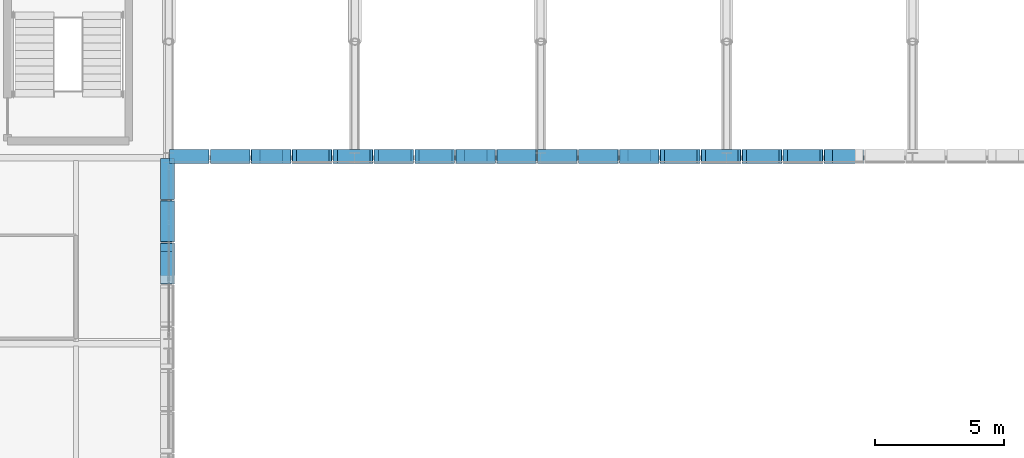
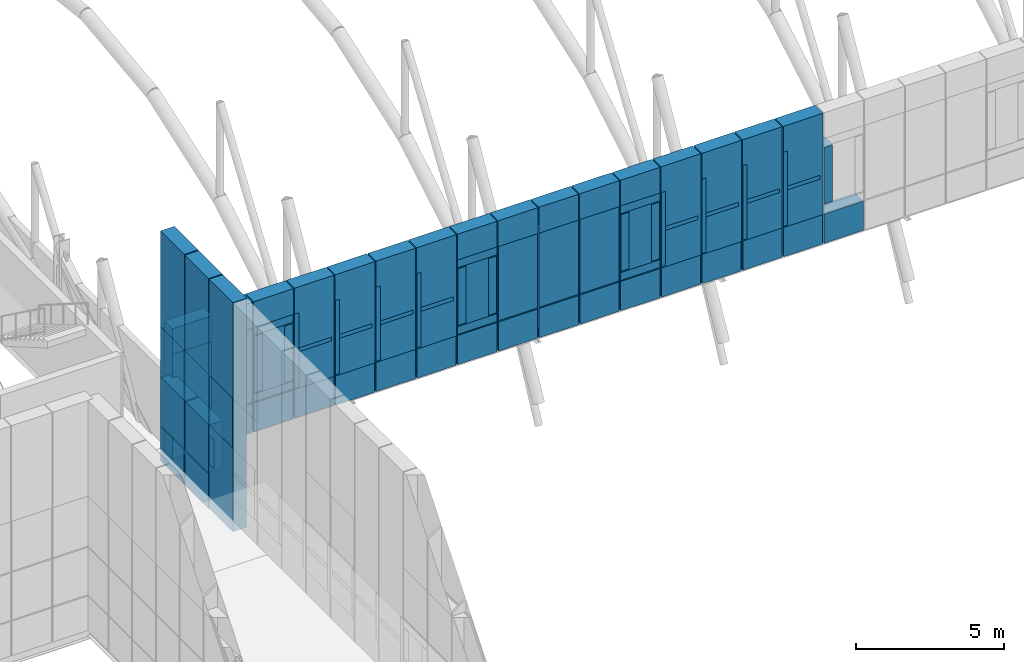
# One storey, part 114 of 144: 78 discrete accessories.
"""IFC4 building model written with IfcOpenShell, lengths in metres."""

from ifc_helpers import new_model, si_unit, direction, frame, origin, origin_2d, place, context, subcontext, project, spatial, rectangle, extrude, material, type_object, element, save


model = new_model("IFC4")

# Units and contexts
model_context = context("Model", 3, precision=1e-05, world=origin(), true_north=direction((0.0, 1.0)))
body_context = subcontext(model_context, "Body", "Model", "MODEL_VIEW")
ifc_project = project(units=[si_unit("LENGTHUNIT", "METRE"), si_unit("AREAUNIT", "SQUARE_METRE"), si_unit("VOLUMEUNIT", "CUBIC_METRE"), si_unit("PLANEANGLEUNIT", "RADIAN"), si_unit("MASSUNIT", "GRAM", prefix="KILO")], contexts=[model_context])

# Site, building, storey
site_placement = place(None, origin())
site = spatial("IfcSite", under=ifc_project, at=site_placement, CompositionType="ELEMENT")
building_placement = place(site_placement, origin())
building = spatial("IfcBuilding", under=site, at=building_placement, Name="Yarey Park Central Fire Station", CompositionType="ELEMENT")
storey_placement = place(building_placement, frame((0.0, 0.0, 10.199951171875)))
storey = spatial("IfcBuildingStorey", under=building, at=storey_placement, Name="L03", CompositionType="ELEMENT", Elevation=10.199951171875)

# Discrete accessories
ifc_material = material(Name="Stainless Steel AISI 316L", Category="steel")
discrete_accessory_type = type_object("IfcDiscreteAccessoryType", Name="ENV_BRK_SS1", PredefinedType="BRACKET", material=ifc_material)
discrete_accessory_1_placement = place(storey_placement, frame((57.550048828125, 54.127197265625, 1.3349609375), z_axis=(0.0, 0.0, 1.0), x_axis=(1.0, 0.0, 0.0)))
element("IfcDiscreteAccessory", 1, at=discrete_accessory_1_placement, inside=storey, type_object=discrete_accessory_type, Name="BRK_PERF_L03_0449", PredefinedType="BRACKET", context=body_context, shape_type="SweptSolid", body=[
    extrude(rectangle(XDim=0.5400390625, YDim=0.320068359375, at=origin_2d()), origin(), (0.0, 0.0, 1.0), 1.22998046875),
])
discrete_accessory_2_placement = place(storey_placement, frame((57.550048828125, 53.509033203125, 2.97509765625), z_axis=(0.0, 0.0, 1.0), x_axis=(1.0, 0.0, 0.0)))
element("IfcDiscreteAccessory", 2, at=discrete_accessory_2_placement, inside=storey, type_object=discrete_accessory_type, Name="BRK_PERF_L03_0450", PredefinedType="BRACKET", context=body_context, shape_type="SweptSolid", body=[
    extrude(rectangle(XDim=0.5400390625, YDim=1.576416015625, at=origin_2d()), origin(), (0.0, 0.0, 1.0), 2.050048828125),
])
discrete_accessory_3_placement = place(storey_placement, frame((57.550048828125, 53.509033203125, -0.4599609375), z_axis=(0.0, 0.0, 1.0), x_axis=(1.0, 0.0, 0.0)))
element("IfcDiscreteAccessory", 3, at=discrete_accessory_3_placement, inside=storey, type_object=discrete_accessory_type, Name="BRK_RAIL_L03_0455", PredefinedType="BRACKET", context=body_context, shape_type="SweptSolid", body=[
    extrude(rectangle(XDim=0.5400390625, YDim=1.596435546875, at=origin_2d()), origin(), (0.0, 0.0, 1.0), 9.419921875),
])
discrete_accessory_4_placement = place(storey_placement, frame((57.550048828125, 55.1455078125, -0.494873046875), z_axis=(0.0, 0.0, 1.0), x_axis=(1.0, 0.0, 0.0)))
element("IfcDiscreteAccessory", 4, at=discrete_accessory_4_placement, inside=storey, type_object=discrete_accessory_type, Name="BRK_PERF_L03_0456", PredefinedType="BRACKET", context=body_context, shape_type="SweptSolid", body=[
    extrude(rectangle(XDim=0.5400390625, YDim=1.576416015625, at=origin_2d()), origin(), (0.0, 0.0, 1.0), 1.419921875),
])
discrete_accessory_5_placement = place(storey_placement, frame((57.550048828125, 55.1455078125, 0.97509765625), z_axis=(0.0, 0.0, 1.0), x_axis=(1.0, 0.0, 0.0)))
element("IfcDiscreteAccessory", 5, at=discrete_accessory_5_placement, inside=storey, type_object=discrete_accessory_type, Name="BRK_PERF_L03_0457", PredefinedType="BRACKET", context=body_context, shape_type="SweptSolid", body=[
    extrude(rectangle(XDim=0.5400390625, YDim=1.576416015625, at=origin_2d()), origin(), (0.0, 0.0, 1.0), 1.949951171875),
])
discrete_accessory_6_placement = place(storey_placement, frame((57.550048828125, 55.1455078125, 2.97509765625), z_axis=(0.0, 0.0, 1.0), x_axis=(1.0, 0.0, 0.0)))
element("IfcDiscreteAccessory", 6, at=discrete_accessory_6_placement, inside=storey, type_object=discrete_accessory_type, Name="BRK_PERF_L03_0458", PredefinedType="BRACKET", context=body_context, shape_type="SweptSolid", body=[
    extrude(rectangle(XDim=0.5400390625, YDim=1.576416015625, at=origin_2d()), origin(), (0.0, 0.0, 1.0), 2.050048828125),
])
discrete_accessory_7_placement = place(storey_placement, frame((57.550048828125, 55.1455078125, -0.4599609375), z_axis=(0.0, 0.0, 1.0), x_axis=(1.0, 0.0, 0.0)))
element("IfcDiscreteAccessory", 7, at=discrete_accessory_7_placement, inside=storey, type_object=discrete_accessory_type, Name="BRK_RAIL_L03_0460", PredefinedType="BRACKET", context=body_context, shape_type="SweptSolid", body=[
    extrude(rectangle(XDim=0.5400390625, YDim=1.596435546875, at=origin_2d()), origin(), (0.0, 0.0, 1.0), 9.419921875),
])
discrete_accessory_8_placement = place(storey_placement, frame((57.550048828125, 56.78173828125, -0.494873046875), z_axis=(0.0, 0.0, 1.0), x_axis=(1.0, 0.0, 0.0)))
element("IfcDiscreteAccessory", 8, at=discrete_accessory_8_placement, inside=storey, type_object=discrete_accessory_type, Name="BRK_PERF_L03_0461", PredefinedType="BRACKET", context=body_context, shape_type="SweptSolid", body=[
    extrude(rectangle(XDim=0.5400390625, YDim=1.576416015625, at=origin_2d()), origin(), (0.0, 0.0, 1.0), 1.419921875),
])
discrete_accessory_9_placement = place(storey_placement, frame((57.550048828125, 56.78173828125, 0.97509765625), z_axis=(0.0, 0.0, 1.0), x_axis=(1.0, 0.0, 0.0)))
element("IfcDiscreteAccessory", 9, at=discrete_accessory_9_placement, inside=storey, type_object=discrete_accessory_type, Name="BRK_PERF_L03_0462", PredefinedType="BRACKET", context=body_context, shape_type="SweptSolid", body=[
    extrude(rectangle(XDim=0.5400390625, YDim=1.576416015625, at=origin_2d()), origin(), (0.0, 0.0, 1.0), 1.949951171875),
])
discrete_accessory_10_placement = place(storey_placement, frame((57.550048828125, 56.78173828125, 2.97509765625), z_axis=(0.0, 0.0, 1.0), x_axis=(1.0, 0.0, 0.0)))
element("IfcDiscreteAccessory", 10, at=discrete_accessory_10_placement, inside=storey, type_object=discrete_accessory_type, Name="BRK_PERF_L03_0463", PredefinedType="BRACKET", context=body_context, shape_type="SweptSolid", body=[
    extrude(rectangle(XDim=0.5400390625, YDim=1.576416015625, at=origin_2d()), origin(), (0.0, 0.0, 1.0), 2.050048828125),
])
discrete_accessory_11_placement = place(storey_placement, frame((57.550048828125, 56.78173828125, -0.4599609375), z_axis=(0.0, 0.0, 1.0), x_axis=(1.0, 0.0, 0.0)))
element("IfcDiscreteAccessory", 11, at=discrete_accessory_11_placement, inside=storey, type_object=discrete_accessory_type, Name="BRK_RAIL_L03_0465", PredefinedType="BRACKET", context=body_context, shape_type="SweptSolid", body=[
    extrude(rectangle(XDim=0.5400390625, YDim=1.596435546875, at=origin_2d()), origin(), (0.0, 0.0, 1.0), 9.419921875),
])
discrete_accessory_12_placement = place(storey_placement, frame((58.39208984375, 57.64990234375, -0.4248046875), z_axis=(0.0, 0.0, 1.0), x_axis=(1.0, 0.0, 0.0)))
element("IfcDiscreteAccessory", 12, at=discrete_accessory_12_placement, inside=storey, type_object=discrete_accessory_type, Name="BRK_PERF_L03_1362", PredefinedType="BRACKET", context=body_context, shape_type="SweptSolid", body=[
    extrude(rectangle(XDim=1.52392578125, YDim=0.5400390625, at=origin_2d()), origin(), (0.0, 0.0, 1.0), 1.199951171875),
])
discrete_accessory_13_placement = place(storey_placement, frame((58.39208984375, 57.64990234375, 0.8251953125), z_axis=(0.0, 0.0, 1.0), x_axis=(1.0, 0.0, 0.0)))
element("IfcDiscreteAccessory", 13, at=discrete_accessory_13_placement, inside=storey, type_object=discrete_accessory_type, Name="BRK_PERF_L03_1363", PredefinedType="BRACKET", context=body_context, shape_type="SweptSolid", body=[
    extrude(rectangle(XDim=1.52392578125, YDim=0.5400390625, at=origin_2d()), origin(), (0.0, 0.0, 1.0), 3.050048828125),
])
discrete_accessory_14_placement = place(storey_placement, frame((58.39208984375, 57.64990234375, -0.389892578125), z_axis=(0.0, 0.0, 1.0), x_axis=(1.0, 0.0, 0.0)))
element("IfcDiscreteAccessory", 14, at=discrete_accessory_14_placement, inside=storey, type_object=discrete_accessory_type, Name="BRK_RAIL_L03_1364", PredefinedType="BRACKET", context=body_context, shape_type="SweptSolid", body=[
    extrude(rectangle(XDim=1.5439453125, YDim=0.5400390625, at=origin_2d()), origin(), (0.0, 0.0, 1.0), 5.330078125),
])
discrete_accessory_15_placement = place(storey_placement, frame((59.97607421875, 57.64990234375, -0.4248046875), z_axis=(0.0, 0.0, 1.0), x_axis=(1.0, 0.0, 0.0)))
element("IfcDiscreteAccessory", 15, at=discrete_accessory_15_placement, inside=storey, type_object=discrete_accessory_type, Name="BRK_PERF_L03_1365", PredefinedType="BRACKET", context=body_context, shape_type="SweptSolid", body=[
    extrude(rectangle(XDim=1.52392578125, YDim=0.5400390625, at=origin_2d()), origin(), (0.0, 0.0, 1.0), 1.199951171875),
])
discrete_accessory_16_placement = place(storey_placement, frame((59.97607421875, 57.64990234375, 0.8251953125), z_axis=(0.0, 0.0, 1.0), x_axis=(1.0, 0.0, 0.0)))
element("IfcDiscreteAccessory", 16, at=discrete_accessory_16_placement, inside=storey, type_object=discrete_accessory_type, Name="BRK_PERF_L03_1366", PredefinedType="BRACKET", context=body_context, shape_type="SweptSolid", body=[
    extrude(rectangle(XDim=1.52392578125, YDim=0.5400390625, at=origin_2d()), origin(), (0.0, 0.0, 1.0), 3.050048828125),
])
discrete_accessory_17_placement = place(storey_placement, frame((59.97607421875, 57.64990234375, -0.389892578125), z_axis=(0.0, 0.0, 1.0), x_axis=(1.0, 0.0, 0.0)))
element("IfcDiscreteAccessory", 17, at=discrete_accessory_17_placement, inside=storey, type_object=discrete_accessory_type, Name="BRK_RAIL_L03_1367", PredefinedType="BRACKET", context=body_context, shape_type="SweptSolid", body=[
    extrude(rectangle(XDim=1.5439453125, YDim=0.5400390625, at=origin_2d()), origin(), (0.0, 0.0, 1.0), 5.330078125),
])
discrete_accessory_18_placement = place(storey_placement, frame((61.56005859375, 57.64990234375, -0.4248046875), z_axis=(0.0, 0.0, 1.0), x_axis=(1.0, 0.0, 0.0)))
element("IfcDiscreteAccessory", 18, at=discrete_accessory_18_placement, inside=storey, type_object=discrete_accessory_type, Name="BRK_PERF_L03_1368", PredefinedType="BRACKET", context=body_context, shape_type="SweptSolid", body=[
    extrude(rectangle(XDim=1.52392578125, YDim=0.5400390625, at=origin_2d()), origin(), (0.0, 0.0, 1.0), 1.199951171875),
])
for number, where, z_axis, x_axis, name in (
    (19, (61.56005859375, 57.64990234375, 0.81982421875), (0.0, 0.0, 1.0), (1.0, 0.0, 0.0), "BRK_PERF_L03_1369"),
    (20, (61.56005859375, 57.64990234375, 3.56005859375), (0.0, 0.0, 1.0), (1.0, 0.0, 0.0), "BRK_PERF_L03_1370"),
):
    element("IfcDiscreteAccessory", number, at=place(storey_placement, frame(where, z_axis=z_axis, x_axis=x_axis)), inside=storey, type_object=discrete_accessory_type, Name=name, PredefinedType="BRACKET", context=body_context, shape_type="SweptSolid", body=[
        extrude(rectangle(XDim=1.52392578125, YDim=0.5400390625, at=origin_2d()), origin(), (0.0, 0.0, 1.0), 0.320068359375),
    ])
for number, where, z_axis, x_axis, name in (
    (21, (60.968017578125, 57.64990234375, 1.18505859375), (0.0, 0.0, 1.0), (1.0, 0.0, 0.0), "BRK_PERF_L03_1371"),
    (22, (62.152099609375, 57.64990234375, 1.18505859375), (0.0, 0.0, 1.0), (1.0, 0.0, 0.0), "BRK_PERF_L03_1372"),
):
    element("IfcDiscreteAccessory", number, at=place(storey_placement, frame(where, z_axis=z_axis, x_axis=x_axis)), inside=storey, type_object=discrete_accessory_type, Name=name, PredefinedType="BRACKET", context=body_context, shape_type="SweptSolid", body=[
        extrude(rectangle(XDim=0.320068359375, YDim=0.5400390625, at=origin_2d()), origin(), (0.0, 0.0, 1.0), 2.330078125),
    ])
discrete_accessory_19_placement = place(storey_placement, frame((61.56005859375, 57.64990234375, -0.389892578125), z_axis=(0.0, 0.0, 1.0), x_axis=(1.0, 0.0, 0.0)))
element("IfcDiscreteAccessory", 23, at=discrete_accessory_19_placement, inside=storey, type_object=discrete_accessory_type, Name="BRK_RAIL_L03_1373", PredefinedType="BRACKET", context=body_context, shape_type="SweptSolid", body=[
    extrude(rectangle(XDim=1.5439453125, YDim=0.5400390625, at=origin_2d()), origin(), (0.0, 0.0, 1.0), 5.330078125),
])
discrete_accessory_20_placement = place(storey_placement, frame((63.14404296875, 57.64990234375, -0.4248046875), z_axis=(0.0, 0.0, 1.0), x_axis=(1.0, 0.0, 0.0)))
element("IfcDiscreteAccessory", 24, at=discrete_accessory_20_placement, inside=storey, type_object=discrete_accessory_type, Name="BRK_PERF_L03_1374", PredefinedType="BRACKET", context=body_context, shape_type="SweptSolid", body=[
    extrude(rectangle(XDim=1.52392578125, YDim=0.5400390625, at=origin_2d()), origin(), (0.0, 0.0, 1.0), 1.199951171875),
])
discrete_accessory_21_placement = place(storey_placement, frame((62.4619140625, 57.64990234375, 0.8251953125), z_axis=(0.0, 0.0, 1.0), x_axis=(1.0, 0.0, 0.0)))
element("IfcDiscreteAccessory", 25, at=discrete_accessory_21_placement, inside=storey, type_object=discrete_accessory_type, Name="BRK_PERF_L03_1375", PredefinedType="BRACKET", context=body_context, shape_type="SweptSolid", body=[
    extrude(rectangle(XDim=0.159912109375, YDim=0.5400390625, at=origin_2d()), origin(), (0.0, 0.0, 1.0), 3.050048828125),
])
discrete_accessory_22_placement = place(storey_placement, frame((63.14404296875, 57.64990234375, 2.27001953125), z_axis=(0.0, 0.0, 1.0), x_axis=(1.0, 0.0, 0.0)))
element("IfcDiscreteAccessory", 26, at=discrete_accessory_22_placement, inside=storey, type_object=discrete_accessory_type, Name="BRK_PERF_L03_1376", PredefinedType="BRACKET", context=body_context, shape_type="SweptSolid", body=[
    extrude(rectangle(XDim=1.323974609375, YDim=0.5400390625, at=origin_2d()), origin(), (0.0, 0.0, 1.0), 0.159912109375),
])
discrete_accessory_23_placement = place(storey_placement, frame((63.14404296875, 57.64990234375, -0.389892578125), z_axis=(0.0, 0.0, 1.0), x_axis=(1.0, 0.0, 0.0)))
element("IfcDiscreteAccessory", 27, at=discrete_accessory_23_placement, inside=storey, type_object=discrete_accessory_type, Name="BRK_RAIL_L03_1377", PredefinedType="BRACKET", context=body_context, shape_type="SweptSolid", body=[
    extrude(rectangle(XDim=1.5439453125, YDim=0.5400390625, at=origin_2d()), origin(), (0.0, 0.0, 1.0), 5.330078125),
])
discrete_accessory_24_placement = place(storey_placement, frame((64.72802734375, 57.64990234375, -0.4248046875), z_axis=(0.0, 0.0, 1.0), x_axis=(1.0, 0.0, 0.0)))
element("IfcDiscreteAccessory", 28, at=discrete_accessory_24_placement, inside=storey, type_object=discrete_accessory_type, Name="BRK_PERF_L03_1378", PredefinedType="BRACKET", context=body_context, shape_type="SweptSolid", body=[
    extrude(rectangle(XDim=1.52392578125, YDim=0.5400390625, at=origin_2d()), origin(), (0.0, 0.0, 1.0), 1.199951171875),
])
discrete_accessory_25_placement = place(storey_placement, frame((64.0458984375, 57.64990234375, 0.8251953125), z_axis=(0.0, 0.0, 1.0), x_axis=(1.0, 0.0, 0.0)))
element("IfcDiscreteAccessory", 29, at=discrete_accessory_25_placement, inside=storey, type_object=discrete_accessory_type, Name="BRK_PERF_L03_1379", PredefinedType="BRACKET", context=body_context, shape_type="SweptSolid", body=[
    extrude(rectangle(XDim=0.159912109375, YDim=0.5400390625, at=origin_2d()), origin(), (0.0, 0.0, 1.0), 3.050048828125),
])
discrete_accessory_26_placement = place(storey_placement, frame((64.72802734375, 57.64990234375, 2.27001953125), z_axis=(0.0, 0.0, 1.0), x_axis=(1.0, 0.0, 0.0)))
element("IfcDiscreteAccessory", 30, at=discrete_accessory_26_placement, inside=storey, type_object=discrete_accessory_type, Name="BRK_PERF_L03_1380", PredefinedType="BRACKET", context=body_context, shape_type="SweptSolid", body=[
    extrude(rectangle(XDim=1.323974609375, YDim=0.5400390625, at=origin_2d()), origin(), (0.0, 0.0, 1.0), 0.159912109375),
])
discrete_accessory_27_placement = place(storey_placement, frame((64.72802734375, 57.64990234375, -0.389892578125), z_axis=(0.0, 0.0, 1.0), x_axis=(1.0, 0.0, 0.0)))
element("IfcDiscreteAccessory", 31, at=discrete_accessory_27_placement, inside=storey, type_object=discrete_accessory_type, Name="BRK_RAIL_L03_1381", PredefinedType="BRACKET", context=body_context, shape_type="SweptSolid", body=[
    extrude(rectangle(XDim=1.5439453125, YDim=0.5400390625, at=origin_2d()), origin(), (0.0, 0.0, 1.0), 5.330078125),
])
discrete_accessory_28_placement = place(storey_placement, frame((66.31201171875, 57.64990234375, -0.4248046875), z_axis=(0.0, 0.0, 1.0), x_axis=(1.0, 0.0, 0.0)))
element("IfcDiscreteAccessory", 32, at=discrete_accessory_28_placement, inside=storey, type_object=discrete_accessory_type, Name="BRK_PERF_L03_1382", PredefinedType="BRACKET", context=body_context, shape_type="SweptSolid", body=[
    extrude(rectangle(XDim=1.52392578125, YDim=0.5400390625, at=origin_2d()), origin(), (0.0, 0.0, 1.0), 1.199951171875),
])
discrete_accessory_29_placement = place(storey_placement, frame((65.6298828125, 57.64990234375, 0.8251953125), z_axis=(0.0, 0.0, 1.0), x_axis=(1.0, 0.0, 0.0)))
element("IfcDiscreteAccessory", 33, at=discrete_accessory_29_placement, inside=storey, type_object=discrete_accessory_type, Name="BRK_PERF_L03_1383", PredefinedType="BRACKET", context=body_context, shape_type="SweptSolid", body=[
    extrude(rectangle(XDim=0.159912109375, YDim=0.5400390625, at=origin_2d()), origin(), (0.0, 0.0, 1.0), 3.050048828125),
])
discrete_accessory_30_placement = place(storey_placement, frame((66.31201171875, 57.64990234375, 2.27001953125), z_axis=(0.0, 0.0, 1.0), x_axis=(1.0, 0.0, 0.0)))
element("IfcDiscreteAccessory", 34, at=discrete_accessory_30_placement, inside=storey, type_object=discrete_accessory_type, Name="BRK_PERF_L03_1384", PredefinedType="BRACKET", context=body_context, shape_type="SweptSolid", body=[
    extrude(rectangle(XDim=1.323974609375, YDim=0.5400390625, at=origin_2d()), origin(), (0.0, 0.0, 1.0), 0.159912109375),
])
discrete_accessory_31_placement = place(storey_placement, frame((66.31201171875, 57.64990234375, -0.389892578125), z_axis=(0.0, 0.0, 1.0), x_axis=(1.0, 0.0, 0.0)))
element("IfcDiscreteAccessory", 35, at=discrete_accessory_31_placement, inside=storey, type_object=discrete_accessory_type, Name="BRK_RAIL_L03_1385", PredefinedType="BRACKET", context=body_context, shape_type="SweptSolid", body=[
    extrude(rectangle(XDim=1.5439453125, YDim=0.5400390625, at=origin_2d()), origin(), (0.0, 0.0, 1.0), 5.330078125),
])
discrete_accessory_32_placement = place(storey_placement, frame((67.89599609375, 57.64990234375, -0.4248046875), z_axis=(0.0, 0.0, 1.0), x_axis=(1.0, 0.0, 0.0)))
element("IfcDiscreteAccessory", 36, at=discrete_accessory_32_placement, inside=storey, type_object=discrete_accessory_type, Name="BRK_PERF_L03_1386", PredefinedType="BRACKET", context=body_context, shape_type="SweptSolid", body=[
    extrude(rectangle(XDim=1.52392578125, YDim=0.5400390625, at=origin_2d()), origin(), (0.0, 0.0, 1.0), 1.199951171875),
])
discrete_accessory_33_placement = place(storey_placement, frame((67.214111328125, 57.64990234375, 0.8251953125), z_axis=(0.0, 0.0, 1.0), x_axis=(1.0, 0.0, 0.0)))
element("IfcDiscreteAccessory", 37, at=discrete_accessory_33_placement, inside=storey, type_object=discrete_accessory_type, Name="BRK_PERF_L03_1387", PredefinedType="BRACKET", context=body_context, shape_type="SweptSolid", body=[
    extrude(rectangle(XDim=0.159912109375, YDim=0.5400390625, at=origin_2d()), origin(), (0.0, 0.0, 1.0), 3.050048828125),
])
discrete_accessory_34_placement = place(storey_placement, frame((67.89599609375, 57.64990234375, 2.27001953125), z_axis=(0.0, 0.0, 1.0), x_axis=(1.0, 0.0, 0.0)))
element("IfcDiscreteAccessory", 38, at=discrete_accessory_34_placement, inside=storey, type_object=discrete_accessory_type, Name="BRK_PERF_L03_1388", PredefinedType="BRACKET", context=body_context, shape_type="SweptSolid", body=[
    extrude(rectangle(XDim=1.323974609375, YDim=0.5400390625, at=origin_2d()), origin(), (0.0, 0.0, 1.0), 0.159912109375),
])
discrete_accessory_35_placement = place(storey_placement, frame((67.89599609375, 57.64990234375, -0.389892578125), z_axis=(0.0, 0.0, 1.0), x_axis=(1.0, 0.0, 0.0)))
element("IfcDiscreteAccessory", 39, at=discrete_accessory_35_placement, inside=storey, type_object=discrete_accessory_type, Name="BRK_RAIL_L03_1389", PredefinedType="BRACKET", context=body_context, shape_type="SweptSolid", body=[
    extrude(rectangle(XDim=1.5439453125, YDim=0.5400390625, at=origin_2d()), origin(), (0.0, 0.0, 1.0), 5.330078125),
])
discrete_accessory_36_placement = place(storey_placement, frame((69.47998046875, 57.64990234375, -0.4248046875), z_axis=(0.0, 0.0, 1.0), x_axis=(1.0, 0.0, 0.0)))
element("IfcDiscreteAccessory", 40, at=discrete_accessory_36_placement, inside=storey, type_object=discrete_accessory_type, Name="BRK_PERF_L03_1390", PredefinedType="BRACKET", context=body_context, shape_type="SweptSolid", body=[
    extrude(rectangle(XDim=1.52392578125, YDim=0.5400390625, at=origin_2d()), origin(), (0.0, 0.0, 1.0), 1.199951171875),
])
for number, where, z_axis, x_axis, name in (
    (41, (69.47998046875, 57.64990234375, 0.81982421875), (0.0, 0.0, 1.0), (1.0, 0.0, 0.0), "BRK_PERF_L03_1391"),
    (42, (69.47998046875, 57.64990234375, 3.56005859375), (0.0, 0.0, 1.0), (1.0, 0.0, 0.0), "BRK_PERF_L03_1392"),
):
    element("IfcDiscreteAccessory", number, at=place(storey_placement, frame(where, z_axis=z_axis, x_axis=x_axis)), inside=storey, type_object=discrete_accessory_type, Name=name, PredefinedType="BRACKET", context=body_context, shape_type="SweptSolid", body=[
        extrude(rectangle(XDim=1.52392578125, YDim=0.5400390625, at=origin_2d()), origin(), (0.0, 0.0, 1.0), 0.320068359375),
    ])
for number, where, z_axis, x_axis, name in (
    (43, (68.887939453125, 57.64990234375, 1.18505859375), (0.0, 0.0, 1.0), (1.0, 0.0, 0.0), "BRK_PERF_L03_1393"),
    (44, (70.072021484375, 57.64990234375, 1.18505859375), (0.0, 0.0, 1.0), (1.0, 0.0, 0.0), "BRK_PERF_L03_1394"),
):
    element("IfcDiscreteAccessory", number, at=place(storey_placement, frame(where, z_axis=z_axis, x_axis=x_axis)), inside=storey, type_object=discrete_accessory_type, Name=name, PredefinedType="BRACKET", context=body_context, shape_type="SweptSolid", body=[
        extrude(rectangle(XDim=0.320068359375, YDim=0.5400390625, at=origin_2d()), origin(), (0.0, 0.0, 1.0), 2.330078125),
    ])
discrete_accessory_37_placement = place(storey_placement, frame((69.47998046875, 57.64990234375, -0.389892578125), z_axis=(0.0, 0.0, 1.0), x_axis=(1.0, 0.0, 0.0)))
element("IfcDiscreteAccessory", 45, at=discrete_accessory_37_placement, inside=storey, type_object=discrete_accessory_type, Name="BRK_RAIL_L03_1395", PredefinedType="BRACKET", context=body_context, shape_type="SweptSolid", body=[
    extrude(rectangle(XDim=1.5439453125, YDim=0.5400390625, at=origin_2d()), origin(), (0.0, 0.0, 1.0), 5.330078125),
])
discrete_accessory_38_placement = place(storey_placement, frame((71.06396484375, 57.64990234375, -0.4248046875), z_axis=(0.0, 0.0, 1.0), x_axis=(1.0, 0.0, 0.0)))
element("IfcDiscreteAccessory", 46, at=discrete_accessory_38_placement, inside=storey, type_object=discrete_accessory_type, Name="BRK_PERF_L03_1396", PredefinedType="BRACKET", context=body_context, shape_type="SweptSolid", body=[
    extrude(rectangle(XDim=1.52392578125, YDim=0.5400390625, at=origin_2d()), origin(), (0.0, 0.0, 1.0), 1.199951171875),
])
discrete_accessory_39_placement = place(storey_placement, frame((71.06396484375, 57.64990234375, 0.8251953125), z_axis=(0.0, 0.0, 1.0), x_axis=(1.0, 0.0, 0.0)))
element("IfcDiscreteAccessory", 47, at=discrete_accessory_39_placement, inside=storey, type_object=discrete_accessory_type, Name="BRK_PERF_L03_1397", PredefinedType="BRACKET", context=body_context, shape_type="SweptSolid", body=[
    extrude(rectangle(XDim=1.52392578125, YDim=0.5400390625, at=origin_2d()), origin(), (0.0, 0.0, 1.0), 3.050048828125),
])
discrete_accessory_40_placement = place(storey_placement, frame((71.06396484375, 57.64990234375, -0.389892578125), z_axis=(0.0, 0.0, 1.0), x_axis=(1.0, 0.0, 0.0)))
element("IfcDiscreteAccessory", 48, at=discrete_accessory_40_placement, inside=storey, type_object=discrete_accessory_type, Name="BRK_RAIL_L03_1398", PredefinedType="BRACKET", context=body_context, shape_type="SweptSolid", body=[
    extrude(rectangle(XDim=1.5439453125, YDim=0.5400390625, at=origin_2d()), origin(), (0.0, 0.0, 1.0), 5.330078125),
])
discrete_accessory_41_placement = place(storey_placement, frame((72.64794921875, 57.64990234375, -0.4248046875), z_axis=(0.0, 0.0, 1.0), x_axis=(1.0, 0.0, 0.0)))
element("IfcDiscreteAccessory", 49, at=discrete_accessory_41_placement, inside=storey, type_object=discrete_accessory_type, Name="BRK_PERF_L03_1399", PredefinedType="BRACKET", context=body_context, shape_type="SweptSolid", body=[
    extrude(rectangle(XDim=1.52392578125, YDim=0.5400390625, at=origin_2d()), origin(), (0.0, 0.0, 1.0), 1.199951171875),
])
discrete_accessory_42_placement = place(storey_placement, frame((72.64794921875, 57.64990234375, 0.8251953125), z_axis=(0.0, 0.0, 1.0), x_axis=(1.0, 0.0, 0.0)))
element("IfcDiscreteAccessory", 50, at=discrete_accessory_42_placement, inside=storey, type_object=discrete_accessory_type, Name="BRK_PERF_L03_1400", PredefinedType="BRACKET", context=body_context, shape_type="SweptSolid", body=[
    extrude(rectangle(XDim=1.52392578125, YDim=0.5400390625, at=origin_2d()), origin(), (0.0, 0.0, 1.0), 3.050048828125),
])
discrete_accessory_43_placement = place(storey_placement, frame((72.64794921875, 57.64990234375, -0.389892578125), z_axis=(0.0, 0.0, 1.0), x_axis=(1.0, 0.0, 0.0)))
element("IfcDiscreteAccessory", 51, at=discrete_accessory_43_placement, inside=storey, type_object=discrete_accessory_type, Name="BRK_RAIL_L03_1401", PredefinedType="BRACKET", context=body_context, shape_type="SweptSolid", body=[
    extrude(rectangle(XDim=1.5439453125, YDim=0.5400390625, at=origin_2d()), origin(), (0.0, 0.0, 1.0), 5.330078125),
])
discrete_accessory_44_placement = place(storey_placement, frame((74.23193359375, 57.64990234375, -0.4248046875), z_axis=(0.0, 0.0, 1.0), x_axis=(1.0, 0.0, 0.0)))
element("IfcDiscreteAccessory", 52, at=discrete_accessory_44_placement, inside=storey, type_object=discrete_accessory_type, Name="BRK_PERF_L03_1402", PredefinedType="BRACKET", context=body_context, shape_type="SweptSolid", body=[
    extrude(rectangle(XDim=1.52392578125, YDim=0.5400390625, at=origin_2d()), origin(), (0.0, 0.0, 1.0), 1.199951171875),
])
discrete_accessory_45_placement = place(storey_placement, frame((74.23193359375, 57.64990234375, 0.8251953125), z_axis=(0.0, 0.0, 1.0), x_axis=(1.0, 0.0, 0.0)))
element("IfcDiscreteAccessory", 53, at=discrete_accessory_45_placement, inside=storey, type_object=discrete_accessory_type, Name="BRK_PERF_L03_1403", PredefinedType="BRACKET", context=body_context, shape_type="SweptSolid", body=[
    extrude(rectangle(XDim=1.52392578125, YDim=0.5400390625, at=origin_2d()), origin(), (0.0, 0.0, 1.0), 3.050048828125),
])
discrete_accessory_46_placement = place(storey_placement, frame((74.23193359375, 57.64990234375, -0.389892578125), z_axis=(0.0, 0.0, 1.0), x_axis=(1.0, 0.0, 0.0)))
element("IfcDiscreteAccessory", 54, at=discrete_accessory_46_placement, inside=storey, type_object=discrete_accessory_type, Name="BRK_RAIL_L03_1404", PredefinedType="BRACKET", context=body_context, shape_type="SweptSolid", body=[
    extrude(rectangle(XDim=1.5439453125, YDim=0.5400390625, at=origin_2d()), origin(), (0.0, 0.0, 1.0), 5.330078125),
])
discrete_accessory_47_placement = place(storey_placement, frame((75.81591796875, 57.64990234375, -0.4248046875), z_axis=(0.0, 0.0, 1.0), x_axis=(1.0, 0.0, 0.0)))
element("IfcDiscreteAccessory", 55, at=discrete_accessory_47_placement, inside=storey, type_object=discrete_accessory_type, Name="BRK_PERF_L03_1405", PredefinedType="BRACKET", context=body_context, shape_type="SweptSolid", body=[
    extrude(rectangle(XDim=1.52392578125, YDim=0.5400390625, at=origin_2d()), origin(), (0.0, 0.0, 1.0), 1.199951171875),
])
for number, where, z_axis, x_axis, name in (
    (56, (75.81591796875, 57.64990234375, 0.81982421875), (0.0, 0.0, 1.0), (1.0, 0.0, 0.0), "BRK_PERF_L03_1406"),
    (57, (75.81591796875, 57.64990234375, 3.56005859375), (0.0, 0.0, 1.0), (1.0, 0.0, 0.0), "BRK_PERF_L03_1407"),
):
    element("IfcDiscreteAccessory", number, at=place(storey_placement, frame(where, z_axis=z_axis, x_axis=x_axis)), inside=storey, type_object=discrete_accessory_type, Name=name, PredefinedType="BRACKET", context=body_context, shape_type="SweptSolid", body=[
        extrude(rectangle(XDim=1.52392578125, YDim=0.5400390625, at=origin_2d()), origin(), (0.0, 0.0, 1.0), 0.320068359375),
    ])
for number, where, z_axis, x_axis, name in (
    (58, (75.22412109375, 57.64990234375, 1.18505859375), (0.0, 0.0, 1.0), (1.0, 0.0, 0.0), "BRK_PERF_L03_1408"),
    (59, (76.407958984375, 57.64990234375, 1.18505859375), (0.0, 0.0, 1.0), (1.0, 0.0, 0.0), "BRK_PERF_L03_1409"),
):
    element("IfcDiscreteAccessory", number, at=place(storey_placement, frame(where, z_axis=z_axis, x_axis=x_axis)), inside=storey, type_object=discrete_accessory_type, Name=name, PredefinedType="BRACKET", context=body_context, shape_type="SweptSolid", body=[
        extrude(rectangle(XDim=0.320068359375, YDim=0.5400390625, at=origin_2d()), origin(), (0.0, 0.0, 1.0), 2.330078125),
    ])
discrete_accessory_48_placement = place(storey_placement, frame((75.81591796875, 57.64990234375, -0.389892578125), z_axis=(0.0, 0.0, 1.0), x_axis=(1.0, 0.0, 0.0)))
element("IfcDiscreteAccessory", 60, at=discrete_accessory_48_placement, inside=storey, type_object=discrete_accessory_type, Name="BRK_RAIL_L03_1410", PredefinedType="BRACKET", context=body_context, shape_type="SweptSolid", body=[
    extrude(rectangle(XDim=1.5439453125, YDim=0.5400390625, at=origin_2d()), origin(), (0.0, 0.0, 1.0), 5.330078125),
])
discrete_accessory_49_placement = place(storey_placement, frame((77.39990234375, 57.64990234375, -0.4248046875), z_axis=(0.0, 0.0, 1.0), x_axis=(1.0, 0.0, 0.0)))
element("IfcDiscreteAccessory", 61, at=discrete_accessory_49_placement, inside=storey, type_object=discrete_accessory_type, Name="BRK_PERF_L03_1411", PredefinedType="BRACKET", context=body_context, shape_type="SweptSolid", body=[
    extrude(rectangle(XDim=1.52392578125, YDim=0.5400390625, at=origin_2d()), origin(), (0.0, 0.0, 1.0), 1.199951171875),
])
discrete_accessory_50_placement = place(storey_placement, frame((76.718017578125, 57.64990234375, 0.8251953125), z_axis=(0.0, 0.0, 1.0), x_axis=(1.0, 0.0, 0.0)))
element("IfcDiscreteAccessory", 62, at=discrete_accessory_50_placement, inside=storey, type_object=discrete_accessory_type, Name="BRK_PERF_L03_1412", PredefinedType="BRACKET", context=body_context, shape_type="SweptSolid", body=[
    extrude(rectangle(XDim=0.159912109375, YDim=0.5400390625, at=origin_2d()), origin(), (0.0, 0.0, 1.0), 3.050048828125),
])
discrete_accessory_51_placement = place(storey_placement, frame((77.39990234375, 57.64990234375, 2.27001953125), z_axis=(0.0, 0.0, 1.0), x_axis=(1.0, 0.0, 0.0)))
element("IfcDiscreteAccessory", 63, at=discrete_accessory_51_placement, inside=storey, type_object=discrete_accessory_type, Name="BRK_PERF_L03_1413", PredefinedType="BRACKET", context=body_context, shape_type="SweptSolid", body=[
    extrude(rectangle(XDim=1.323974609375, YDim=0.5400390625, at=origin_2d()), origin(), (0.0, 0.0, 1.0), 0.159912109375),
])
discrete_accessory_52_placement = place(storey_placement, frame((77.39990234375, 57.64990234375, -0.389892578125), z_axis=(0.0, 0.0, 1.0), x_axis=(1.0, 0.0, 0.0)))
element("IfcDiscreteAccessory", 64, at=discrete_accessory_52_placement, inside=storey, type_object=discrete_accessory_type, Name="BRK_RAIL_L03_1414", PredefinedType="BRACKET", context=body_context, shape_type="SweptSolid", body=[
    extrude(rectangle(XDim=1.5439453125, YDim=0.5400390625, at=origin_2d()), origin(), (0.0, 0.0, 1.0), 5.330078125),
])
discrete_accessory_53_placement = place(storey_placement, frame((78.98388671875, 57.64990234375, -0.4248046875), z_axis=(0.0, 0.0, 1.0), x_axis=(1.0, 0.0, 0.0)))
element("IfcDiscreteAccessory", 65, at=discrete_accessory_53_placement, inside=storey, type_object=discrete_accessory_type, Name="BRK_PERF_L03_1415", PredefinedType="BRACKET", context=body_context, shape_type="SweptSolid", body=[
    extrude(rectangle(XDim=1.52392578125, YDim=0.5400390625, at=origin_2d()), origin(), (0.0, 0.0, 1.0), 1.199951171875),
])
discrete_accessory_54_placement = place(storey_placement, frame((78.302001953125, 57.64990234375, 0.8251953125), z_axis=(0.0, 0.0, 1.0), x_axis=(1.0, 0.0, 0.0)))
element("IfcDiscreteAccessory", 66, at=discrete_accessory_54_placement, inside=storey, type_object=discrete_accessory_type, Name="BRK_PERF_L03_1416", PredefinedType="BRACKET", context=body_context, shape_type="SweptSolid", body=[
    extrude(rectangle(XDim=0.159912109375, YDim=0.5400390625, at=origin_2d()), origin(), (0.0, 0.0, 1.0), 3.050048828125),
])
discrete_accessory_55_placement = place(storey_placement, frame((78.98388671875, 57.64990234375, 2.27001953125), z_axis=(0.0, 0.0, 1.0), x_axis=(1.0, 0.0, 0.0)))
element("IfcDiscreteAccessory", 67, at=discrete_accessory_55_placement, inside=storey, type_object=discrete_accessory_type, Name="BRK_PERF_L03_1417", PredefinedType="BRACKET", context=body_context, shape_type="SweptSolid", body=[
    extrude(rectangle(XDim=1.323974609375, YDim=0.5400390625, at=origin_2d()), origin(), (0.0, 0.0, 1.0), 0.159912109375),
])
discrete_accessory_56_placement = place(storey_placement, frame((78.98388671875, 57.64990234375, -0.389892578125), z_axis=(0.0, 0.0, 1.0), x_axis=(1.0, 0.0, 0.0)))
element("IfcDiscreteAccessory", 68, at=discrete_accessory_56_placement, inside=storey, type_object=discrete_accessory_type, Name="BRK_RAIL_L03_1418", PredefinedType="BRACKET", context=body_context, shape_type="SweptSolid", body=[
    extrude(rectangle(XDim=1.5439453125, YDim=0.5400390625, at=origin_2d()), origin(), (0.0, 0.0, 1.0), 5.330078125),
])
discrete_accessory_57_placement = place(storey_placement, frame((80.568115234375, 57.64990234375, -0.4248046875), z_axis=(0.0, 0.0, 1.0), x_axis=(1.0, 0.0, 0.0)))
element("IfcDiscreteAccessory", 69, at=discrete_accessory_57_placement, inside=storey, type_object=discrete_accessory_type, Name="BRK_PERF_L03_1419", PredefinedType="BRACKET", context=body_context, shape_type="SweptSolid", body=[
    extrude(rectangle(XDim=1.52392578125, YDim=0.5400390625, at=origin_2d()), origin(), (0.0, 0.0, 1.0), 1.199951171875),
])
discrete_accessory_58_placement = place(storey_placement, frame((79.885986328125, 57.64990234375, 0.8251953125), z_axis=(0.0, 0.0, 1.0), x_axis=(1.0, 0.0, 0.0)))
element("IfcDiscreteAccessory", 70, at=discrete_accessory_58_placement, inside=storey, type_object=discrete_accessory_type, Name="BRK_PERF_L03_1420", PredefinedType="BRACKET", context=body_context, shape_type="SweptSolid", body=[
    extrude(rectangle(XDim=0.159912109375, YDim=0.5400390625, at=origin_2d()), origin(), (0.0, 0.0, 1.0), 3.050048828125),
])
discrete_accessory_59_placement = place(storey_placement, frame((80.568115234375, 57.64990234375, 2.27001953125), z_axis=(0.0, 0.0, 1.0), x_axis=(1.0, 0.0, 0.0)))
element("IfcDiscreteAccessory", 71, at=discrete_accessory_59_placement, inside=storey, type_object=discrete_accessory_type, Name="BRK_PERF_L03_1421", PredefinedType="BRACKET", context=body_context, shape_type="SweptSolid", body=[
    extrude(rectangle(XDim=1.323974609375, YDim=0.5400390625, at=origin_2d()), origin(), (0.0, 0.0, 1.0), 0.159912109375),
])
discrete_accessory_60_placement = place(storey_placement, frame((80.568115234375, 57.64990234375, -0.389892578125), z_axis=(0.0, 0.0, 1.0), x_axis=(1.0, 0.0, 0.0)))
element("IfcDiscreteAccessory", 72, at=discrete_accessory_60_placement, inside=storey, type_object=discrete_accessory_type, Name="BRK_RAIL_L03_1422", PredefinedType="BRACKET", context=body_context, shape_type="SweptSolid", body=[
    extrude(rectangle(XDim=1.5439453125, YDim=0.5400390625, at=origin_2d()), origin(), (0.0, 0.0, 1.0), 5.330078125),
])
discrete_accessory_61_placement = place(storey_placement, frame((82.152099609375, 57.64990234375, -0.4248046875), z_axis=(0.0, 0.0, 1.0), x_axis=(1.0, 0.0, 0.0)))
element("IfcDiscreteAccessory", 73, at=discrete_accessory_61_placement, inside=storey, type_object=discrete_accessory_type, Name="BRK_PERF_L03_1423", PredefinedType="BRACKET", context=body_context, shape_type="SweptSolid", body=[
    extrude(rectangle(XDim=1.52392578125, YDim=0.5400390625, at=origin_2d()), origin(), (0.0, 0.0, 1.0), 1.199951171875),
])
discrete_accessory_62_placement = place(storey_placement, frame((81.469970703125, 57.64990234375, 0.8251953125), z_axis=(0.0, 0.0, 1.0), x_axis=(1.0, 0.0, 0.0)))
element("IfcDiscreteAccessory", 74, at=discrete_accessory_62_placement, inside=storey, type_object=discrete_accessory_type, Name="BRK_PERF_L03_1424", PredefinedType="BRACKET", context=body_context, shape_type="SweptSolid", body=[
    extrude(rectangle(XDim=0.159912109375, YDim=0.5400390625, at=origin_2d()), origin(), (0.0, 0.0, 1.0), 3.050048828125),
])
discrete_accessory_63_placement = place(storey_placement, frame((82.152099609375, 57.64990234375, 2.27001953125), z_axis=(0.0, 0.0, 1.0), x_axis=(1.0, 0.0, 0.0)))
element("IfcDiscreteAccessory", 75, at=discrete_accessory_63_placement, inside=storey, type_object=discrete_accessory_type, Name="BRK_PERF_L03_1425", PredefinedType="BRACKET", context=body_context, shape_type="SweptSolid", body=[
    extrude(rectangle(XDim=1.323974609375, YDim=0.5400390625, at=origin_2d()), origin(), (0.0, 0.0, 1.0), 0.159912109375),
])
discrete_accessory_64_placement = place(storey_placement, frame((82.152099609375, 57.64990234375, -0.389892578125), z_axis=(0.0, 0.0, 1.0), x_axis=(1.0, 0.0, 0.0)))
element("IfcDiscreteAccessory", 76, at=discrete_accessory_64_placement, inside=storey, type_object=discrete_accessory_type, Name="BRK_RAIL_L03_1426", PredefinedType="BRACKET", context=body_context, shape_type="SweptSolid", body=[
    extrude(rectangle(XDim=1.5439453125, YDim=0.5400390625, at=origin_2d()), origin(), (0.0, 0.0, 1.0), 5.330078125),
])
discrete_accessory_65_placement = place(storey_placement, frame((83.736083984375, 57.64990234375, -0.4248046875), z_axis=(0.0, 0.0, 1.0), x_axis=(1.0, 0.0, 0.0)))
element("IfcDiscreteAccessory", 77, at=discrete_accessory_65_placement, inside=storey, type_object=discrete_accessory_type, Name="BRK_PERF_L03_1427", PredefinedType="BRACKET", context=body_context, shape_type="SweptSolid", body=[
    extrude(rectangle(XDim=1.52392578125, YDim=0.5400390625, at=origin_2d()), origin(), (0.0, 0.0, 1.0), 1.199951171875),
])
discrete_accessory_66_placement = place(storey_placement, frame((83.14404296875, 57.64990234375, 1.18505859375), z_axis=(0.0, 0.0, 1.0), x_axis=(1.0, 0.0, 0.0)))
element("IfcDiscreteAccessory", 78, at=discrete_accessory_66_placement, inside=storey, type_object=discrete_accessory_type, Name="BRK_PERF_L03_1430", PredefinedType="BRACKET", context=body_context, shape_type="SweptSolid", body=[
    extrude(rectangle(XDim=0.320068359375, YDim=0.5400390625, at=origin_2d()), origin(), (0.0, 0.0, 1.0), 2.330078125),
])

save(model, "model.ifc")
